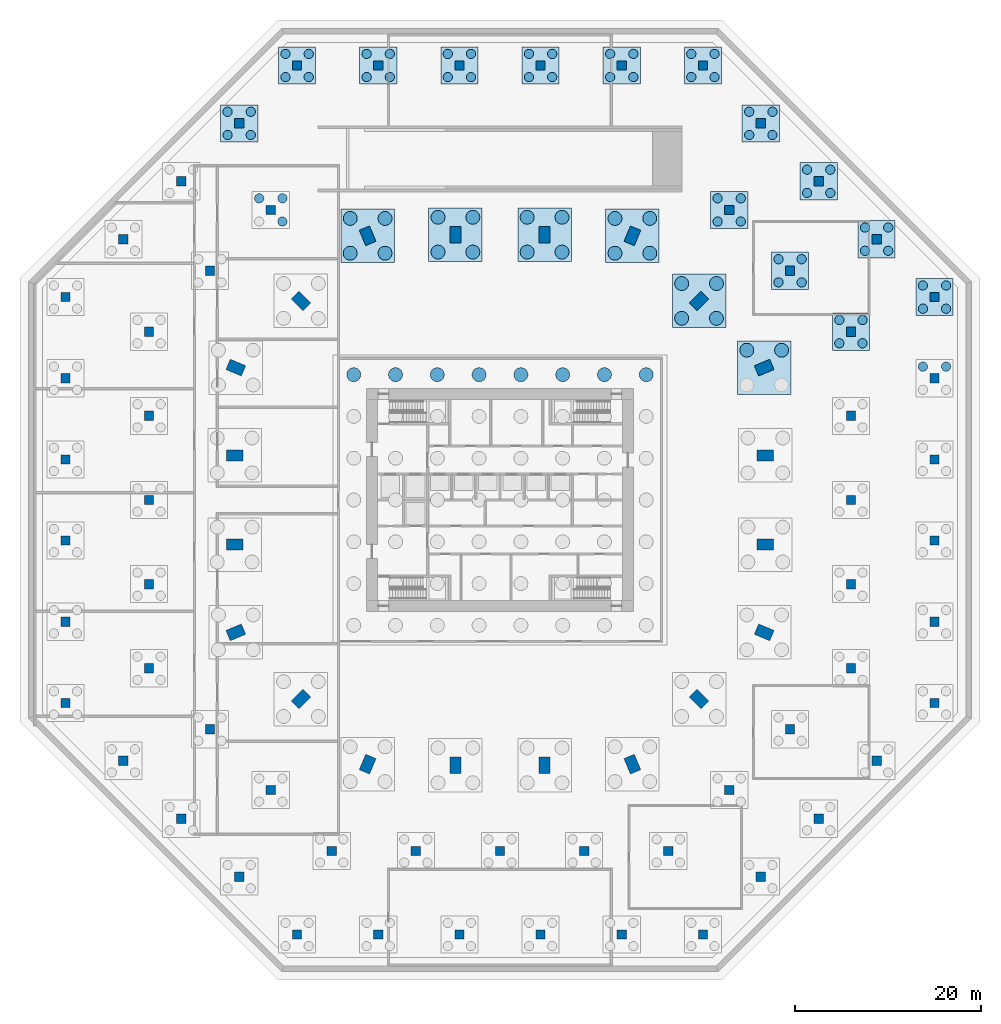
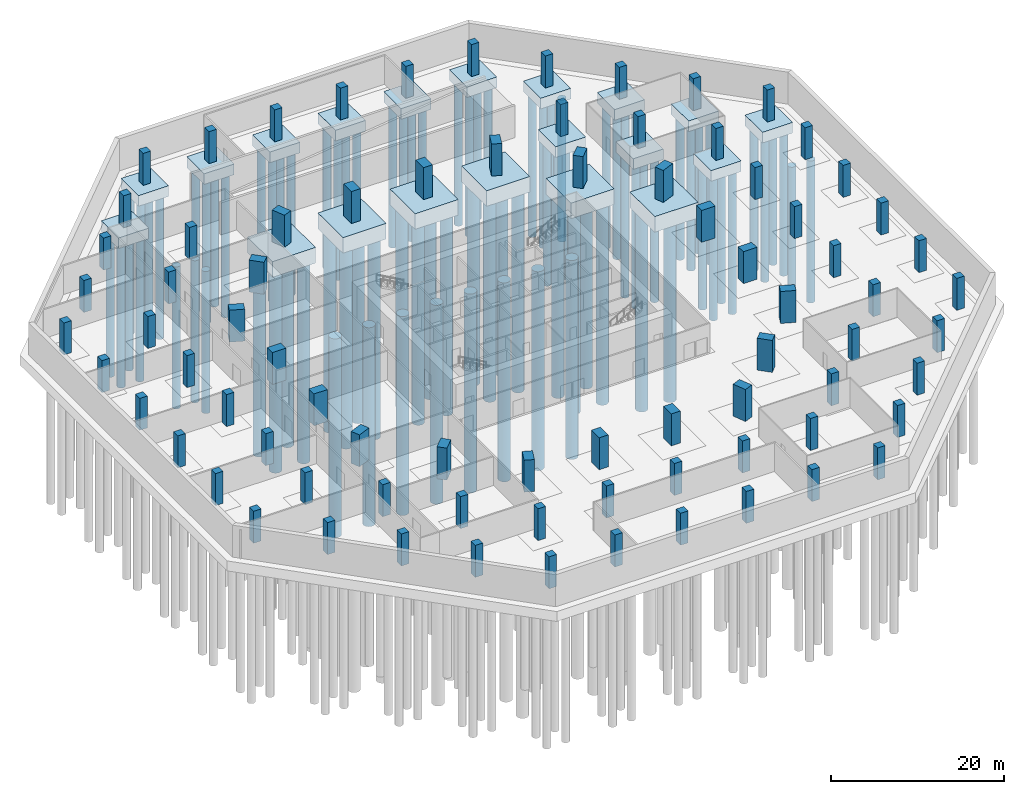
# One storey, part 3 of 14: 91 piles, 79 columns, 20 footings.
"""IFC4 building model written with IfcOpenShell, lengths in metres."""

from ifc_helpers import new_model, si_unit, direction, frame, origin, origin_2d, place, context, subcontext, project, spatial, polyline, rectangle, circle, outline, extrude, material, layer, layer_set, material_profile, profile_set, type_object, element, save


model = new_model("IFC4")

# Units and contexts
model_context = context("Model", 3, precision=1e-05, world=origin(), true_north=direction((0.0, 1.0)))
body_context = subcontext(model_context, "Body", "Model", "MODEL_VIEW")
ifc_project = project(units=[si_unit("LENGTHUNIT", "METRE"), si_unit("AREAUNIT", "SQUARE_METRE"), si_unit("VOLUMEUNIT", "CUBIC_METRE"), si_unit("PLANEANGLEUNIT", "RADIAN"), si_unit("MASSUNIT", "GRAM", prefix="KILO")], contexts=[model_context])

# Site, building, storey
site_placement = place(None, origin())
site = spatial("IfcSite", under=ifc_project, at=site_placement, CompositionType="ELEMENT")
building_placement = place(site_placement, origin())
building = spatial("IfcBuilding", under=site, at=building_placement, Name="Msitu Wima Residences", CompositionType="ELEMENT")
storey_placement = place(building_placement, frame((0.0, 0.0, -9.0)))
storey = spatial("IfcBuildingStorey", under=building, at=storey_placement, Name="B2", CompositionType="ELEMENT", Elevation=-9.0)

# Piles
ifc_material_1 = material(Name="Concrete C40/50", Category="concrete")
pile_type_1 = type_object("IfcPileType", Name="Bored pile PH1 D1500", PredefinedType="BORED", material=ifc_material_1)
for number, where, z_axis, x_axis, name in (
    (1, (-15.75, 13.5, -3.5), (0.0, 0.0, -1.0), (1.0, 0.0, 0.0), "Raft pile PH1-49"),
    (2, (-11.25, 13.5, -3.5), (0.0, 0.0, -1.0), (1.0, 0.0, 0.0), "Raft pile PH1-50"),
    (3, (-6.75, 13.5, -3.5), (0.0, 0.0, -1.0), (1.0, 0.0, 0.0), "Raft pile PH1-51"),
    (4, (-2.25, 13.5, -3.5), (0.0, 0.0, -1.0), (1.0, 0.0, 0.0), "Raft pile PH1-52"),
    (5, (2.25, 13.5, -3.5), (0.0, 0.0, -1.0), (1.0, 0.0, 0.0), "Raft pile PH1-53"),
    (6, (6.75, 13.5, -3.5), (0.0, 0.0, -1.0), (1.0, 0.0, 0.0), "Raft pile PH1-54"),
    (7, (11.25, 13.5, -3.5), (0.0, 0.0, -1.0), (1.0, 0.0, 0.0), "Raft pile PH1-55"),
    (8, (15.75, 13.5, -3.5), (0.0, 0.0, -1.0), (1.0, 0.0, 0.0), "Raft pile PH1-56"),
    (9, (30.3291015625, 16.1318359375, -2.199951171875), (0.0, 0.0, -1.0), (1.0, 0.0, 0.0), "Pile PH1-053-3"),
    (10, (26.5791015625, 16.1318359375, -2.199951171875), (0.0, 0.0, -1.0), (1.0, 0.0, 0.0), "Pile PH1-053-4"),
    (11, (19.56591796875, 19.56591796875, -2.199951171875), (0.0, 0.0, -1.0), (1.0, 0.0, 0.0), "Pile PH1-057-1"),
    (12, (23.31591796875, 19.56591796875, -2.199951171875), (0.0, 0.0, -1.0), (1.0, 0.0, 0.0), "Pile PH1-057-2"),
    (13, (23.31591796875, 23.31591796875, -2.199951171875), (0.0, 0.0, -1.0), (1.0, 0.0, 0.0), "Pile PH1-057-3"),
    (14, (19.56591796875, 23.31591796875, -2.199951171875), (0.0, 0.0, -1.0), (1.0, 0.0, 0.0), "Pile PH1-057-4"),
    (15, (-16.1318359375, 26.5791015625, -2.199951171875), (0.0, 0.0, -1.0), (1.0, 0.0, 0.0), "Pile PH1-062-1"),
    (16, (-12.3818359375, 26.5791015625, -2.199951171875), (0.0, 0.0, -1.0), (1.0, 0.0, 0.0), "Pile PH1-062-2"),
    (17, (-12.3818359375, 30.3291015625, -2.199951171875), (0.0, 0.0, -1.0), (1.0, 0.0, 0.0), "Pile PH1-062-3"),
    (18, (-16.1318359375, 30.3291015625, -2.199951171875), (0.0, 0.0, -1.0), (1.0, 0.0, 0.0), "Pile PH1-062-4"),
    (19, (12.3818359375, 26.5791015625, -2.199951171875), (0.0, 0.0, -1.0), (1.0, 0.0, 0.0), "Pile PH1-063-1"),
    (20, (16.1318359375, 26.5791015625, -2.199951171875), (0.0, 0.0, -1.0), (1.0, 0.0, 0.0), "Pile PH1-063-2"),
    (21, (16.1318359375, 30.3291015625, -2.199951171875), (0.0, 0.0, -1.0), (1.0, 0.0, 0.0), "Pile PH1-063-3"),
    (22, (12.3818359375, 30.3291015625, -2.199951171875), (0.0, 0.0, -1.0), (1.0, 0.0, 0.0), "Pile PH1-063-4"),
    (23, (-6.675048828125, 26.699951171875, -2.199951171875), (0.0, 0.0, -1.0), (1.0, 0.0, 0.0), "Pile PH1-064-1"),
    (24, (-2.925048828125, 26.699951171875, -2.199951171875), (0.0, 0.0, -1.0), (1.0, 0.0, 0.0), "Pile PH1-064-2"),
    (25, (-2.925048828125, 30.449951171875, -2.199951171875), (0.0, 0.0, -1.0), (1.0, 0.0, 0.0), "Pile PH1-064-3"),
    (26, (-6.675048828125, 30.449951171875, -2.199951171875), (0.0, 0.0, -1.0), (1.0, 0.0, 0.0), "Pile PH1-064-4"),
    (27, (2.925048828125, 26.699951171875, -2.199951171875), (0.0, 0.0, -1.0), (1.0, 0.0, 0.0), "Pile PH1-065-1"),
    (28, (6.675048828125, 26.699951171875, -2.199951171875), (0.0, 0.0, -1.0), (1.0, 0.0, 0.0), "Pile PH1-065-2"),
    (29, (6.675048828125, 30.449951171875, -2.199951171875), (0.0, 0.0, -1.0), (1.0, 0.0, 0.0), "Pile PH1-065-3"),
    (30, (2.925048828125, 30.449951171875, -2.199951171875), (0.0, 0.0, -1.0), (1.0, 0.0, 0.0), "Pile PH1-065-4"),
):
    element("IfcPile", number, at=place(storey_placement, frame(where, z_axis=z_axis, x_axis=x_axis)), inside=storey, type_object=pile_type_1, Name=name, PredefinedType="BORED", context=body_context, shape_type="SweptSolid", body=[
        extrude(circle(Radius=0.75, at=origin_2d()), origin(), (0.0, 0.0, 1.0), 28.0),
    ])
pile_type_2 = type_object("IfcPileType", Name="Bored pile PL1 D1000", PredefinedType="BORED", material=ifc_material_1)
for number, where, z_axis, x_axis, name in (
    (31, (48.050048828125, 14.363525390625, -1.5), (0.0, 0.0, -1.0), (1.0, 0.0, 0.0), "Pile PLP1-051-3"),
    (32, (45.550048828125, 14.363525390625, -1.5), (0.0, 0.0, -1.0), (1.0, 0.0, 0.0), "Pile PLP1-051-4"),
    (33, (36.550048828125, 16.8779296875, -1.5), (0.0, 0.0, -1.0), (1.0, 0.0, 0.0), "Pile PLP1-055-1"),
    (34, (39.050048828125, 16.8779296875, -1.5), (0.0, 0.0, -1.0), (1.0, 0.0, 0.0), "Pile PLP1-055-2"),
    (35, (39.050048828125, 19.3779296875, -1.5), (0.0, 0.0, -1.0), (1.0, 0.0, 0.0), "Pile PLP1-055-3"),
    (36, (36.550048828125, 19.3779296875, -1.5), (0.0, 0.0, -1.0), (1.0, 0.0, 0.0), "Pile PLP1-055-4"),
    (37, (45.550048828125, 20.60595703125, -1.5), (0.0, 0.0, -1.0), (1.0, 0.0, 0.0), "Pile PLP1-059-1"),
    (38, (48.050048828125, 20.60595703125, -1.5), (0.0, 0.0, -1.0), (1.0, 0.0, 0.0), "Pile PLP1-059-2"),
    (39, (48.050048828125, 23.10595703125, -1.5), (0.0, 0.0, -1.0), (1.0, 0.0, 0.0), "Pile PLP1-059-3"),
    (40, (45.550048828125, 23.10595703125, -1.5), (0.0, 0.0, -1.0), (1.0, 0.0, 0.0), "Pile PLP1-059-4"),
    (41, (29.99267578125, 23.435302734375, -1.5), (0.0, 0.0, -1.0), (1.0, 0.0, 0.0), "Pile PLP1-061-1"),
    (42, (32.49267578125, 23.435302734375, -1.5), (0.0, 0.0, -1.0), (1.0, 0.0, 0.0), "Pile PLP1-061-2"),
    (43, (32.49267578125, 25.935302734375, -1.5), (0.0, 0.0, -1.0), (1.0, 0.0, 0.0), "Pile PLP1-061-3"),
    (44, (29.99267578125, 25.935302734375, -1.5), (0.0, 0.0, -1.0), (1.0, 0.0, 0.0), "Pile PLP1-061-4"),
    (45, (39.31396484375, 26.841796875, -1.5), (0.0, 0.0, -1.0), (1.0, 0.0, 0.0), "Pile PLP1-067-1"),
    (46, (41.81396484375, 26.841796875, -1.5), (0.0, 0.0, -1.0), (1.0, 0.0, 0.0), "Pile PLP1-067-2"),
    (47, (41.81396484375, 29.341796875, -1.5), (0.0, 0.0, -1.0), (1.0, 0.0, 0.0), "Pile PLP1-067-3"),
    (48, (39.31396484375, 29.341796875, -1.5), (0.0, 0.0, -1.0), (1.0, 0.0, 0.0), "Pile PLP1-067-4"),
    (49, (-23.435302734375, 29.99267578125, -1.5), (0.0, 0.0, -1.0), (1.0, 0.0, 0.0), "Pile PLP1-068-2"),
    (50, (-23.435302734375, 32.49267578125, -1.5), (0.0, 0.0, -1.0), (1.0, 0.0, 0.0), "Pile PLP1-068-3"),
    (51, (-25.935302734375, 32.49267578125, -1.5), (0.0, 0.0, -1.0), (1.0, 0.0, 0.0), "Pile PLP1-068-4"),
    (52, (23.435302734375, 29.99267578125, -1.5), (0.0, 0.0, -1.0), (1.0, 0.0, 0.0), "Pile PLP1-069-1"),
    (53, (25.935302734375, 29.99267578125, -1.5), (0.0, 0.0, -1.0), (1.0, 0.0, 0.0), "Pile PLP1-069-2"),
    (54, (25.935302734375, 32.49267578125, -1.5), (0.0, 0.0, -1.0), (1.0, 0.0, 0.0), "Pile PLP1-069-3"),
    (55, (23.435302734375, 32.49267578125, -1.5), (0.0, 0.0, -1.0), (1.0, 0.0, 0.0), "Pile PLP1-069-4"),
    (56, (33.077880859375, 33.077880859375, -1.5), (0.0, 0.0, -1.0), (1.0, 0.0, 0.0), "Pile PLP1-071-1"),
    (57, (35.577880859375, 33.077880859375, -1.5), (0.0, 0.0, -1.0), (1.0, 0.0, 0.0), "Pile PLP1-071-2"),
    (58, (35.577880859375, 35.577880859375, -1.5), (0.0, 0.0, -1.0), (1.0, 0.0, 0.0), "Pile PLP1-071-3"),
    (59, (33.077880859375, 35.577880859375, -1.5), (0.0, 0.0, -1.0), (1.0, 0.0, 0.0), "Pile PLP1-071-4"),
    (60, (-29.341796875, 39.31396484375, -1.5), (0.0, 0.0, -1.0), (1.0, 0.0, 0.0), "Pile PLP1-072-1"),
    (61, (-26.841796875, 39.31396484375, -1.5), (0.0, 0.0, -1.0), (1.0, 0.0, 0.0), "Pile PLP1-072-2"),
    (62, (-26.841796875, 41.81396484375, -1.5), (0.0, 0.0, -1.0), (1.0, 0.0, 0.0), "Pile PLP1-072-3"),
    (63, (-29.341796875, 41.81396484375, -1.5), (0.0, 0.0, -1.0), (1.0, 0.0, 0.0), "Pile PLP1-072-4"),
    (64, (26.841796875, 39.31396484375, -1.5), (0.0, 0.0, -1.0), (1.0, 0.0, 0.0), "Pile PLP1-073-1"),
    (65, (29.341796875, 39.31396484375, -1.5), (0.0, 0.0, -1.0), (1.0, 0.0, 0.0), "Pile PLP1-073-2"),
    (66, (29.341796875, 41.81396484375, -1.5), (0.0, 0.0, -1.0), (1.0, 0.0, 0.0), "Pile PLP1-073-3"),
    (67, (26.841796875, 41.81396484375, -1.5), (0.0, 0.0, -1.0), (1.0, 0.0, 0.0), "Pile PLP1-073-4"),
    (68, (-23.10595703125, 45.550048828125, -1.5), (0.0, 0.0, -1.0), (1.0, 0.0, 0.0), "Pile PLP1-074-1"),
    (69, (-20.60595703125, 45.550048828125, -1.5), (0.0, 0.0, -1.0), (1.0, 0.0, 0.0), "Pile PLP1-074-2"),
    (70, (-20.60595703125, 48.050048828125, -1.5), (0.0, 0.0, -1.0), (1.0, 0.0, 0.0), "Pile PLP1-074-3"),
    (71, (-23.10595703125, 48.050048828125, -1.5), (0.0, 0.0, -1.0), (1.0, 0.0, 0.0), "Pile PLP1-074-4"),
    (72, (-14.363525390625, 45.550048828125, -1.5), (0.0, 0.0, -1.0), (1.0, 0.0, 0.0), "Pile PLP1-075-1"),
    (73, (-11.863525390625, 45.550048828125, -1.5), (0.0, 0.0, -1.0), (1.0, 0.0, 0.0), "Pile PLP1-075-2"),
    (74, (-11.863525390625, 48.050048828125, -1.5), (0.0, 0.0, -1.0), (1.0, 0.0, 0.0), "Pile PLP1-075-3"),
    (75, (-14.363525390625, 48.050048828125, -1.5), (0.0, 0.0, -1.0), (1.0, 0.0, 0.0), "Pile PLP1-075-4"),
    (76, (-5.62109375, 45.550048828125, -1.5), (0.0, 0.0, -1.0), (1.0, 0.0, 0.0), "Pile PLP1-076-1"),
    (77, (-3.12109375, 45.550048828125, -1.5), (0.0, 0.0, -1.0), (1.0, 0.0, 0.0), "Pile PLP1-076-2"),
    (78, (-3.12109375, 48.050048828125, -1.5), (0.0, 0.0, -1.0), (1.0, 0.0, 0.0), "Pile PLP1-076-3"),
    (79, (-5.62109375, 48.050048828125, -1.5), (0.0, 0.0, -1.0), (1.0, 0.0, 0.0), "Pile PLP1-076-4"),
    (80, (3.12109375, 45.550048828125, -1.5), (0.0, 0.0, -1.0), (1.0, 0.0, 0.0), "Pile PLP1-077-1"),
    (81, (5.62109375, 45.550048828125, -1.5), (0.0, 0.0, -1.0), (1.0, 0.0, 0.0), "Pile PLP1-077-2"),
    (82, (5.62109375, 48.050048828125, -1.5), (0.0, 0.0, -1.0), (1.0, 0.0, 0.0), "Pile PLP1-077-3"),
    (83, (3.12109375, 48.050048828125, -1.5), (0.0, 0.0, -1.0), (1.0, 0.0, 0.0), "Pile PLP1-077-4"),
    (84, (11.863525390625, 45.550048828125, -1.5), (0.0, 0.0, -1.0), (1.0, 0.0, 0.0), "Pile PLP1-078-1"),
    (85, (14.363525390625, 45.550048828125, -1.5), (0.0, 0.0, -1.0), (1.0, 0.0, 0.0), "Pile PLP1-078-2"),
    (86, (14.363525390625, 48.050048828125, -1.5), (0.0, 0.0, -1.0), (1.0, 0.0, 0.0), "Pile PLP1-078-3"),
    (87, (11.863525390625, 48.050048828125, -1.5), (0.0, 0.0, -1.0), (1.0, 0.0, 0.0), "Pile PLP1-078-4"),
    (88, (20.60595703125, 45.550048828125, -1.5), (0.0, 0.0, -1.0), (1.0, 0.0, 0.0), "Pile PLP1-079-1"),
    (89, (23.10595703125, 45.550048828125, -1.5), (0.0, 0.0, -1.0), (1.0, 0.0, 0.0), "Pile PLP1-079-2"),
    (90, (23.10595703125, 48.050048828125, -1.5), (0.0, 0.0, -1.0), (1.0, 0.0, 0.0), "Pile PLP1-079-3"),
    (91, (20.60595703125, 48.050048828125, -1.5), (0.0, 0.0, -1.0), (1.0, 0.0, 0.0), "Pile PLP1-079-4"),
):
    element("IfcPile", number, at=place(storey_placement, frame(where, z_axis=z_axis, x_axis=x_axis)), inside=storey, type_object=pile_type_2, Name=name, PredefinedType="BORED", context=body_context, shape_type="SweptSolid", body=[
        extrude(circle(Radius=0.5, at=origin_2d()), origin(), (0.0, 0.0, 1.0), 20.0),
    ])

# Footings
ifc_layer_1 = layer(ifc_material_1, 2.199951171875)
ifc_layer_set_1 = layer_set([ifc_layer_1], Name="Concrete C40/50")
footing_type_1 = type_object("IfcFootingType", Name="Pile cap PC1 heavy", PredefinedType="PILE_CAP", material=ifc_layer_set_1)
footing_1_placement = place(storey_placement, frame((0.0, 0.0, -2.199951171875)))
element("IfcFooting", 92, at=footing_1_placement, inside=storey, type_object=footing_type_1, Name="Pile cap CAP1-053", PredefinedType="PILE_CAP", context=body_context, shape_type="SweptSolid", body=[
    extrude(outline(polyline([(31.3291015625, 11.3818359375), (31.3291015625, 17.1318359375), (25.5791015625, 17.1318359375), (25.5791015625, 11.3818359375), (31.3291015625, 11.3818359375)])), origin(), (0.0, 0.0, 1.0), 2.199951171875),
])
footing_2_placement = place(storey_placement, frame((0.0, 0.0, -2.199951171875)))
element("IfcFooting", 93, at=footing_2_placement, inside=storey, type_object=footing_type_1, Name="Pile cap CAP1-057", PredefinedType="PILE_CAP", context=body_context, shape_type="SweptSolid", body=[
    extrude(outline(polyline([(24.31591796875, 18.56591796875), (24.31591796875, 24.31591796875), (18.56591796875, 24.31591796875), (18.56591796875, 18.56591796875), (24.31591796875, 18.56591796875)])), origin(), (0.0, 0.0, 1.0), 2.199951171875),
])
footing_3_placement = place(storey_placement, frame((0.0, 0.0, -2.199951171875)))
element("IfcFooting", 94, at=footing_3_placement, inside=storey, type_object=footing_type_1, Name="Pile cap CAP1-062", PredefinedType="PILE_CAP", context=body_context, shape_type="SweptSolid", body=[
    extrude(outline(polyline([(-11.3818359375, 25.5791015625), (-11.3818359375, 31.3291015625), (-17.1318359375, 31.3291015625), (-17.1318359375, 25.5791015625), (-11.3818359375, 25.5791015625)])), origin(), (0.0, 0.0, 1.0), 2.199951171875),
])
footing_4_placement = place(storey_placement, frame((0.0, 0.0, -2.199951171875)))
element("IfcFooting", 95, at=footing_4_placement, inside=storey, type_object=footing_type_1, Name="Pile cap CAP1-063", PredefinedType="PILE_CAP", context=body_context, shape_type="SweptSolid", body=[
    extrude(outline(polyline([(17.1318359375, 25.5791015625), (17.1318359375, 31.3291015625), (11.3818359375, 31.3291015625), (11.3818359375, 25.5791015625), (17.1318359375, 25.5791015625)])), origin(), (0.0, 0.0, 1.0), 2.199951171875),
])
footing_5_placement = place(storey_placement, frame((0.0, 0.0, -2.199951171875)))
element("IfcFooting", 96, at=footing_5_placement, inside=storey, type_object=footing_type_1, Name="Pile cap CAP1-064", PredefinedType="PILE_CAP", context=body_context, shape_type="SweptSolid", body=[
    extrude(outline(polyline([(-1.925048828125, 25.699951171875), (-1.925048828125, 31.449951171875), (-7.675048828125, 31.449951171875), (-7.675048828125, 25.699951171875), (-1.925048828125, 25.699951171875)])), origin(), (0.0, 0.0, 1.0), 2.199951171875),
])
footing_6_placement = place(storey_placement, frame((0.0, 0.0, -2.199951171875)))
element("IfcFooting", 97, at=footing_6_placement, inside=storey, type_object=footing_type_1, Name="Pile cap CAP1-065", PredefinedType="PILE_CAP", context=body_context, shape_type="SweptSolid", body=[
    extrude(outline(polyline([(7.675048828125, 25.699951171875), (7.675048828125, 31.449951171875), (1.925048828125, 31.449951171875), (1.925048828125, 25.699951171875), (7.675048828125, 25.699951171875)])), origin(), (0.0, 0.0, 1.0), 2.199951171875),
])
ifc_layer_2 = layer(ifc_material_1, 1.5)
ifc_layer_set_2 = layer_set([ifc_layer_2], Name="Concrete C40/50")
footing_type_2 = type_object("IfcFootingType", Name="Pile cap PC2 light", PredefinedType="PILE_CAP", material=ifc_layer_set_2)
footing_7_placement = place(storey_placement, frame((0.0, 0.0, -1.5)))
element("IfcFooting", 98, at=footing_7_placement, inside=storey, type_object=footing_type_2, Name="Pile cap CAP2-055", PredefinedType="PILE_CAP", context=body_context, shape_type="SweptSolid", body=[
    extrude(outline(polyline([(39.800048828125, 16.1279296875), (39.800048828125, 20.1279296875), (35.800048828125, 20.1279296875), (35.800048828125, 16.1279296875), (39.800048828125, 16.1279296875)])), origin(), (0.0, 0.0, 1.0), 1.5),
])
footing_8_placement = place(storey_placement, frame((0.0, 0.0, -1.5)))
element("IfcFooting", 99, at=footing_8_placement, inside=storey, type_object=footing_type_2, Name="Pile cap CAP2-059", PredefinedType="PILE_CAP", context=body_context, shape_type="SweptSolid", body=[
    extrude(outline(polyline([(48.800048828125, 19.85595703125), (48.800048828125, 23.85595703125), (44.800048828125, 23.85595703125), (44.800048828125, 19.85595703125), (48.800048828125, 19.85595703125)])), origin(), (0.0, 0.0, 1.0), 1.5),
])
footing_9_placement = place(storey_placement, frame((0.0, 0.0, -1.5)))
element("IfcFooting", 100, at=footing_9_placement, inside=storey, type_object=footing_type_2, Name="Pile cap CAP2-061", PredefinedType="PILE_CAP", context=body_context, shape_type="SweptSolid", body=[
    extrude(outline(polyline([(33.24267578125, 22.685302734375), (33.24267578125, 26.685302734375), (29.24267578125, 26.685302734375), (29.24267578125, 22.685302734375), (33.24267578125, 22.685302734375)])), origin(), (0.0, 0.0, 1.0), 1.5),
])
footing_10_placement = place(storey_placement, frame((0.0, 0.0, -1.5)))
element("IfcFooting", 101, at=footing_10_placement, inside=storey, type_object=footing_type_2, Name="Pile cap CAP2-067", PredefinedType="PILE_CAP", context=body_context, shape_type="SweptSolid", body=[
    extrude(outline(polyline([(42.56396484375, 26.091796875), (42.56396484375, 30.091796875), (38.56396484375, 30.091796875), (38.56396484375, 26.091796875), (42.56396484375, 26.091796875)])), origin(), (0.0, 0.0, 1.0), 1.5),
])
footing_11_placement = place(storey_placement, frame((0.0, 0.0, -1.5)))
element("IfcFooting", 102, at=footing_11_placement, inside=storey, type_object=footing_type_2, Name="Pile cap CAP2-069", PredefinedType="PILE_CAP", context=body_context, shape_type="SweptSolid", body=[
    extrude(outline(polyline([(26.685302734375, 29.24267578125), (26.685302734375, 33.24267578125), (22.685302734375, 33.24267578125), (22.685302734375, 29.24267578125), (26.685302734375, 29.24267578125)])), origin(), (0.0, 0.0, 1.0), 1.5),
])
footing_12_placement = place(storey_placement, frame((0.0, 0.0, -1.5)))
element("IfcFooting", 103, at=footing_12_placement, inside=storey, type_object=footing_type_2, Name="Pile cap CAP2-071", PredefinedType="PILE_CAP", context=body_context, shape_type="SweptSolid", body=[
    extrude(outline(polyline([(36.327880859375, 32.327880859375), (36.327880859375, 36.327880859375), (32.327880859375, 36.327880859375), (32.327880859375, 32.327880859375), (36.327880859375, 32.327880859375)])), origin(), (0.0, 0.0, 1.0), 1.5),
])
footing_13_placement = place(storey_placement, frame((0.0, 0.0, -1.5)))
element("IfcFooting", 104, at=footing_13_placement, inside=storey, type_object=footing_type_2, Name="Pile cap CAP2-072", PredefinedType="PILE_CAP", context=body_context, shape_type="SweptSolid", body=[
    extrude(outline(polyline([(-26.091796875, 38.56396484375), (-26.091796875, 42.56396484375), (-30.091796875, 42.56396484375), (-30.091796875, 38.56396484375), (-26.091796875, 38.56396484375)])), origin(), (0.0, 0.0, 1.0), 1.5),
])
footing_14_placement = place(storey_placement, frame((0.0, 0.0, -1.5)))
element("IfcFooting", 105, at=footing_14_placement, inside=storey, type_object=footing_type_2, Name="Pile cap CAP2-073", PredefinedType="PILE_CAP", context=body_context, shape_type="SweptSolid", body=[
    extrude(outline(polyline([(30.091796875, 38.56396484375), (30.091796875, 42.56396484375), (26.091796875, 42.56396484375), (26.091796875, 38.56396484375), (30.091796875, 38.56396484375)])), origin(), (0.0, 0.0, 1.0), 1.5),
])
footing_15_placement = place(storey_placement, frame((0.0, 0.0, -1.5)))
element("IfcFooting", 106, at=footing_15_placement, inside=storey, type_object=footing_type_2, Name="Pile cap CAP2-074", PredefinedType="PILE_CAP", context=body_context, shape_type="SweptSolid", body=[
    extrude(outline(polyline([(-19.85595703125, 44.800048828125), (-19.85595703125, 48.800048828125), (-23.85595703125, 48.800048828125), (-23.85595703125, 44.800048828125), (-19.85595703125, 44.800048828125)])), origin(), (0.0, 0.0, 1.0), 1.5),
])
footing_16_placement = place(storey_placement, frame((0.0, 0.0, -1.5)))
element("IfcFooting", 107, at=footing_16_placement, inside=storey, type_object=footing_type_2, Name="Pile cap CAP2-075", PredefinedType="PILE_CAP", context=body_context, shape_type="SweptSolid", body=[
    extrude(outline(polyline([(-11.113525390625, 44.800048828125), (-11.113525390625, 48.800048828125), (-15.113525390625, 48.800048828125), (-15.113525390625, 44.800048828125), (-11.113525390625, 44.800048828125)])), origin(), (0.0, 0.0, 1.0), 1.5),
])
footing_17_placement = place(storey_placement, frame((0.0, 0.0, -1.5)))
element("IfcFooting", 108, at=footing_17_placement, inside=storey, type_object=footing_type_2, Name="Pile cap CAP2-076", PredefinedType="PILE_CAP", context=body_context, shape_type="SweptSolid", body=[
    extrude(outline(polyline([(-2.37109375, 44.800048828125), (-2.37109375, 48.800048828125), (-6.37109375, 48.800048828125), (-6.37109375, 44.800048828125), (-2.37109375, 44.800048828125)])), origin(), (0.0, 0.0, 1.0), 1.5),
])
footing_18_placement = place(storey_placement, frame((0.0, 0.0, -1.5)))
element("IfcFooting", 109, at=footing_18_placement, inside=storey, type_object=footing_type_2, Name="Pile cap CAP2-077", PredefinedType="PILE_CAP", context=body_context, shape_type="SweptSolid", body=[
    extrude(outline(polyline([(6.37109375, 44.800048828125), (6.37109375, 48.800048828125), (2.37109375, 48.800048828125), (2.37109375, 44.800048828125), (6.37109375, 44.800048828125)])), origin(), (0.0, 0.0, 1.0), 1.5),
])
footing_19_placement = place(storey_placement, frame((0.0, 0.0, -1.5)))
element("IfcFooting", 110, at=footing_19_placement, inside=storey, type_object=footing_type_2, Name="Pile cap CAP2-078", PredefinedType="PILE_CAP", context=body_context, shape_type="SweptSolid", body=[
    extrude(outline(polyline([(15.113525390625, 44.800048828125), (15.113525390625, 48.800048828125), (11.113525390625, 48.800048828125), (11.113525390625, 44.800048828125), (15.113525390625, 44.800048828125)])), origin(), (0.0, 0.0, 1.0), 1.5),
])
footing_20_placement = place(storey_placement, frame((0.0, 0.0, -1.5)))
element("IfcFooting", 111, at=footing_20_placement, inside=storey, type_object=footing_type_2, Name="Pile cap CAP2-079", PredefinedType="PILE_CAP", context=body_context, shape_type="SweptSolid", body=[
    extrude(outline(polyline([(23.85595703125, 44.800048828125), (23.85595703125, 48.800048828125), (19.85595703125, 48.800048828125), (19.85595703125, 44.800048828125), (23.85595703125, 44.800048828125)])), origin(), (0.0, 0.0, 1.0), 1.5),
])

# Columns
ifc_material_2 = material(Name="Concrete C60/75", Category="concrete")
ifc_material_profile_1 = material_profile(ifc_material_2, rectangle(XDim=1.0, YDim=1.0, at=origin_2d()), Name="RC 1000x1000")
ifc_profile_set_1 = profile_set([ifc_material_profile_1], Name="Concrete C60/75")
column_type_1 = type_object("IfcColumnType", Name="Base column CB10 1000x1000", PredefinedType="COLUMN", material=ifc_profile_set_1)
for number, where, z_axis, x_axis, name in (
    (112, (-21.85595703125, -46.800048828125, 0.0), (0.0, 0.0, 1.0), (1.0, 0.0, 0.0), "Column -21.9/-46.8 B2"),
    (113, (-13.113525390625, -46.800048828125, 0.0), (0.0, 0.0, 1.0), (1.0, 0.0, 0.0), "Column -13.1/-46.8 B2"),
    (114, (-4.37109375, -46.800048828125, 0.0), (0.0, 0.0, 1.0), (1.0, 0.0, 0.0), "Column -4.4/-46.8 B2"),
    (115, (4.37109375, -46.800048828125, 0.0), (0.0, 0.0, 1.0), (1.0, 0.0, 0.0), "Column +4.4/-46.8 B2"),
    (116, (13.113525390625, -46.800048828125, 0.0), (0.0, 0.0, 1.0), (1.0, 0.0, 0.0), "Column +13.1/-46.8 B2"),
    (117, (21.85595703125, -46.800048828125, 0.0), (0.0, 0.0, 1.0), (1.0, 0.0, 0.0), "Column +21.9/-46.8 B2"),
    (118, (-28.091796875, -40.56396484375, 0.0), (0.0, 0.0, 1.0), (1.0, 0.0, 0.0), "Column -28.1/-40.6 B2"),
    (119, (28.091796875, -40.56396484375, 0.0), (0.0, 0.0, 1.0), (1.0, 0.0, 0.0), "Column +28.1/-40.6 B2"),
    (120, (-18.1279296875, -37.800048828125, 0.0), (0.0, 0.0, 1.0), (1.0, 0.0, 0.0), "Column -18.1/-37.8 B2"),
    (121, (-9.06396484375, -37.800048828125, 0.0), (0.0, 0.0, 1.0), (1.0, 0.0, 0.0), "Column -9.1/-37.8 B2"),
    (122, (0.0, -37.800048828125, 0.0), (0.0, 0.0, 1.0), (1.0, 0.0, 0.0), "Column 12/-37.8 B2"),
    (123, (9.06396484375, -37.800048828125, 0.0), (0.0, 0.0, 1.0), (1.0, 0.0, 0.0), "Column +9.1/-37.8 B2"),
    (124, (18.1279296875, -37.800048828125, 0.0), (0.0, 0.0, 1.0), (1.0, 0.0, 0.0), "Column +18.1/-37.8 B2"),
    (125, (-34.327880859375, -34.327880859375, 0.0), (0.0, 0.0, 1.0), (1.0, 0.0, 0.0), "Column -34.3/-34.3 B2"),
    (126, (34.327880859375, -34.327880859375, 0.0), (0.0, 0.0, 1.0), (1.0, 0.0, 0.0), "Column +34.3/-34.3 B2"),
    (127, (-24.685302734375, -31.24267578125, 0.0), (0.0, 0.0, 1.0), (1.0, 0.0, 0.0), "Column -24.7/-31.2 B2"),
    (128, (24.685302734375, -31.24267578125, 0.0), (0.0, 0.0, 1.0), (1.0, 0.0, 0.0), "Column +24.7/-31.2 B2"),
    (129, (-40.56396484375, -28.091796875, 0.0), (0.0, 0.0, 1.0), (1.0, 0.0, 0.0), "Column -40.6/-28.1 B2"),
    (130, (40.56396484375, -28.091796875, 0.0), (0.0, 0.0, 1.0), (1.0, 0.0, 0.0), "Column +40.6/-28.1 B2"),
    (131, (-31.24267578125, -24.685302734375, 0.0), (0.0, 0.0, 1.0), (1.0, 0.0, 0.0), "Column -31.2/-24.7 B2"),
    (132, (31.24267578125, -24.685302734375, 0.0), (0.0, 0.0, 1.0), (1.0, 0.0, 0.0), "Column +31.2/-24.7 B2"),
    (133, (-46.800048828125, -21.85595703125, 0.0), (0.0, 0.0, 1.0), (1.0, 0.0, 0.0), "Column -46.8/-21.9 B2"),
    (134, (46.800048828125, -21.85595703125, 0.0), (0.0, 0.0, 1.0), (1.0, 0.0, 0.0), "Column +46.8/-21.9 B2"),
    (135, (-37.800048828125, -18.1279296875, 0.0), (0.0, 0.0, 1.0), (1.0, 0.0, 0.0), "Column -37.8/-18.1 B2"),
    (136, (37.800048828125, -18.1279296875, 0.0), (0.0, 0.0, 1.0), (1.0, 0.0, 0.0), "Column +37.8/-18.1 B2"),
    (137, (-46.800048828125, -13.113525390625, 0.0), (0.0, 0.0, 1.0), (1.0, 0.0, 0.0), "Column -46.8/-13.1 B2"),
    (138, (46.800048828125, -13.113525390625, 0.0), (0.0, 0.0, 1.0), (1.0, 0.0, 0.0), "Column +46.8/-13.1 B2"),
    (139, (-37.800048828125, -9.06396484375, 0.0), (0.0, 0.0, 1.0), (1.0, 0.0, 0.0), "Column -37.8/-9.1 B2"),
    (140, (37.800048828125, -9.06396484375, 0.0), (0.0, 0.0, 1.0), (1.0, 0.0, 0.0), "Column +37.8/-9.1 B2"),
    (141, (-46.800048828125, -4.37109375, 0.0), (0.0, 0.0, 1.0), (1.0, 0.0, 0.0), "Column -46.8/-4.4 B2"),
    (142, (46.800048828125, -4.37109375, 0.0), (0.0, 0.0, 1.0), (1.0, 0.0, 0.0), "Column +46.8/-4.4 B2"),
    (143, (-37.800048828125, 0.0, 0.0), (0.0, 0.0, 1.0), (1.0, 0.0, 0.0), "Column -37.8/M B2"),
    (144, (37.800048828125, 0.0, 0.0), (0.0, 0.0, 1.0), (1.0, 0.0, 0.0), "Column +37.8/M B2"),
    (145, (-46.800048828125, 4.37109375, 0.0), (0.0, 0.0, 1.0), (1.0, 0.0, 0.0), "Column -46.8/+4.4 B2"),
    (146, (46.800048828125, 4.37109375, 0.0), (0.0, 0.0, 1.0), (1.0, 0.0, 0.0), "Column +46.8/+4.4 B2"),
    (147, (-37.800048828125, 9.06396484375, 0.0), (0.0, 0.0, 1.0), (1.0, 0.0, 0.0), "Column -37.8/+9.1 B2"),
    (148, (37.800048828125, 9.06396484375, 0.0), (0.0, 0.0, 1.0), (1.0, 0.0, 0.0), "Column +37.8/+9.1 B2"),
    (149, (-46.800048828125, 13.113525390625, 0.0), (0.0, 0.0, 1.0), (1.0, 0.0, 0.0), "Column -46.8/+13.1 B2"),
    (150, (46.800048828125, 13.113525390625, 0.0), (0.0, 0.0, 1.0), (1.0, 0.0, 0.0), "Column +46.8/+13.1 B2"),
    (151, (-37.800048828125, 18.1279296875, 0.0), (0.0, 0.0, 1.0), (1.0, 0.0, 0.0), "Column -37.8/+18.1 B2"),
    (152, (37.800048828125, 18.1279296875, 0.0), (0.0, 0.0, 1.0), (1.0, 0.0, 0.0), "Column +37.8/+18.1 B2"),
    (153, (-46.800048828125, 21.85595703125, 0.0), (0.0, 0.0, 1.0), (1.0, 0.0, 0.0), "Column -46.8/+21.9 B2"),
    (154, (46.800048828125, 21.85595703125, 0.0), (0.0, 0.0, 1.0), (1.0, 0.0, 0.0), "Column +46.8/+21.9 B2"),
    (155, (-31.24267578125, 24.685302734375, 0.0), (0.0, 0.0, 1.0), (1.0, 0.0, 0.0), "Column -31.2/+24.7 B2"),
    (156, (31.24267578125, 24.685302734375, 0.0), (0.0, 0.0, 1.0), (1.0, 0.0, 0.0), "Column +31.2/+24.7 B2"),
    (157, (-40.56396484375, 28.091796875, 0.0), (0.0, 0.0, 1.0), (1.0, 0.0, 0.0), "Column -40.6/+28.1 B2"),
    (158, (40.56396484375, 28.091796875, 0.0), (0.0, 0.0, 1.0), (1.0, 0.0, 0.0), "Column +40.6/+28.1 B2"),
    (159, (-24.685302734375, 31.24267578125, 0.0), (0.0, 0.0, 1.0), (1.0, 0.0, 0.0), "Column -24.7/+31.2 B2"),
    (160, (24.685302734375, 31.24267578125, 0.0), (0.0, 0.0, 1.0), (1.0, 0.0, 0.0), "Column +24.7/+31.2 B2"),
    (161, (-34.327880859375, 34.327880859375, 0.0), (0.0, 0.0, 1.0), (1.0, 0.0, 0.0), "Column -34.3/+34.3 B2"),
    (162, (34.327880859375, 34.327880859375, 0.0), (0.0, 0.0, 1.0), (1.0, 0.0, 0.0), "Column +34.3/+34.3 B2"),
    (163, (-28.091796875, 40.56396484375, 0.0), (0.0, 0.0, 1.0), (1.0, 0.0, 0.0), "Column -28.1/+40.6 B2"),
    (164, (28.091796875, 40.56396484375, 0.0), (0.0, 0.0, 1.0), (1.0, 0.0, 0.0), "Column +28.1/+40.6 B2"),
    (165, (-21.85595703125, 46.800048828125, 0.0), (0.0, 0.0, 1.0), (1.0, 0.0, 0.0), "Column -21.9/+46.8 B2"),
    (166, (-13.113525390625, 46.800048828125, 0.0), (0.0, 0.0, 1.0), (1.0, 0.0, 0.0), "Column -13.1/+46.8 B2"),
    (167, (-4.37109375, 46.800048828125, 0.0), (0.0, 0.0, 1.0), (1.0, 0.0, 0.0), "Column -4.4/+46.8 B2"),
    (168, (4.37109375, 46.800048828125, 0.0), (0.0, 0.0, 1.0), (1.0, 0.0, 0.0), "Column +4.4/+46.8 B2"),
    (169, (13.113525390625, 46.800048828125, 0.0), (0.0, 0.0, 1.0), (1.0, 0.0, 0.0), "Column +13.1/+46.8 B2"),
    (170, (21.85595703125, 46.800048828125, 0.0), (0.0, 0.0, 1.0), (1.0, 0.0, 0.0), "Column +21.9/+46.8 B2"),
):
    element("IfcColumn", number, at=place(storey_placement, frame(where, z_axis=z_axis, x_axis=x_axis)), inside=storey, type_object=column_type_1, Name=name, PredefinedType="COLUMN", context=body_context, shape_type="SweptSolid", body=[
        extrude(rectangle(XDim=1.0, YDim=1.0, at=origin_2d()), origin(), (0.0, 0.0, 1.0), 4.5),
    ])
ifc_material_3 = material(Name="Concrete C70/85", Category="concrete")
ifc_material_profile_2 = material_profile(ifc_material_3, rectangle(XDim=1.199951171875, YDim=1.800048828125, at=origin_2d()), Name="RC 1200x1800")
ifc_profile_set_2 = profile_set([ifc_material_profile_2], Name="Concrete C70/85")
column_type_2 = type_object("IfcColumnType", Name="Base column CB18 1200x1800", PredefinedType="COLUMN", material=ifc_profile_set_2)
for number, where, z_axis, x_axis, name in (
    (171, (-4.800048828125, -28.574951171875, 0.0), (0.0, 0.0, 1.0), (1.0, 0.0, 0.0), "Column 11/-28.6 B2"),
    (172, (4.800048828125, -28.574951171875, 0.0), (0.0, 0.0, 1.0), (1.0, 0.0, 0.0), "Column 13/-28.6 B2"),
    (173, (-14.2568359375, -28.4541015625, 0.0), (0.0, 0.0, 1.0), (0.923879505795, -0.382683496864, 0.0), "Column -14.3/-28.5 B2"),
    (174, (14.2568359375, -28.4541015625, 0.0), (0.0, 0.0, 1.0), (0.923879505795, 0.382683496864, 0.0), "Column +14.3/-28.5 B2"),
    (175, (-21.44091796875, -21.44091796875, 0.0), (0.0, 0.0, 1.0), (0.707106781187, -0.707106781187, 0.0), "Column -21.4/-21.4 B2"),
    (176, (21.44091796875, -21.44091796875, 0.0), (0.0, 0.0, 1.0), (0.707106781187, 0.707106781187, 0.0), "Column +21.4/-21.4 B2"),
    (177, (-28.4541015625, -14.2568359375, 0.0), (0.0, 0.0, 1.0), (0.382683496864, -0.923879505795, 0.0), "Column -28.5/-14.3 B2"),
    (178, (28.4541015625, -14.2568359375, 0.0), (0.0, 0.0, 1.0), (0.382683496864, 0.923879505795, 0.0), "Column +28.5/-14.3 B2"),
    (179, (-28.574951171875, -4.800048828125, 0.0), (0.0, 0.0, 1.0), (0.0, -1.0, 0.0), "Column -28.6/L B2"),
    (180, (28.574951171875, -4.800048828125, 0.0), (0.0, 0.0, 1.0), (0.0, 1.0, 0.0), "Column +28.6/L B2"),
    (181, (-28.574951171875, 4.800048828125, 0.0), (0.0, 0.0, 1.0), (0.0, -1.0, 0.0), "Column -28.6/N B2"),
    (182, (28.574951171875, 4.800048828125, 0.0), (0.0, 0.0, 1.0), (0.0, 1.0, 0.0), "Column +28.6/N B2"),
    (183, (-28.4541015625, 14.2568359375, 0.0), (0.0, 0.0, 1.0), (-0.382683496864, -0.923879505795, 0.0), "Column -28.5/+14.3 B2"),
    (184, (28.4541015625, 14.2568359375, 0.0), (0.0, 0.0, 1.0), (-0.382683496864, 0.923879505795, 0.0), "Column +28.5/+14.3 B2"),
    (185, (-21.44091796875, 21.44091796875, 0.0), (0.0, 0.0, 1.0), (-0.707106781187, -0.707106781187, 0.0), "Column -21.4/+21.4 B2"),
    (186, (21.44091796875, 21.44091796875, 0.0), (0.0, 0.0, 1.0), (-0.707106781187, 0.707106781187, 0.0), "Column +21.4/+21.4 B2"),
    (187, (-14.2568359375, 28.4541015625, 0.0), (0.0, 0.0, 1.0), (-0.923879505795, -0.382683496864, 0.0), "Column -14.3/+28.5 B2"),
    (188, (14.2568359375, 28.4541015625, 0.0), (0.0, 0.0, 1.0), (-0.923879505795, 0.382683496864, 0.0), "Column +14.3/+28.5 B2"),
    (189, (-4.800048828125, 28.574951171875, 0.0), (0.0, 0.0, 1.0), (-1.0, 0.0, 0.0), "Column 11/+28.6 B2"),
    (190, (4.800048828125, 28.574951171875, 0.0), (0.0, 0.0, 1.0), (-1.0, 0.0, 0.0), "Column 13/+28.6 B2"),
):
    element("IfcColumn", number, at=place(storey_placement, frame(where, z_axis=z_axis, x_axis=x_axis)), inside=storey, type_object=column_type_2, Name=name, PredefinedType="COLUMN", context=body_context, shape_type="SweptSolid", body=[
        extrude(rectangle(XDim=1.199951171875, YDim=1.800048828125, at=origin_2d()), origin(), (0.0, 0.0, 1.0), 4.5),
    ])

save(model, "model.ifc")
